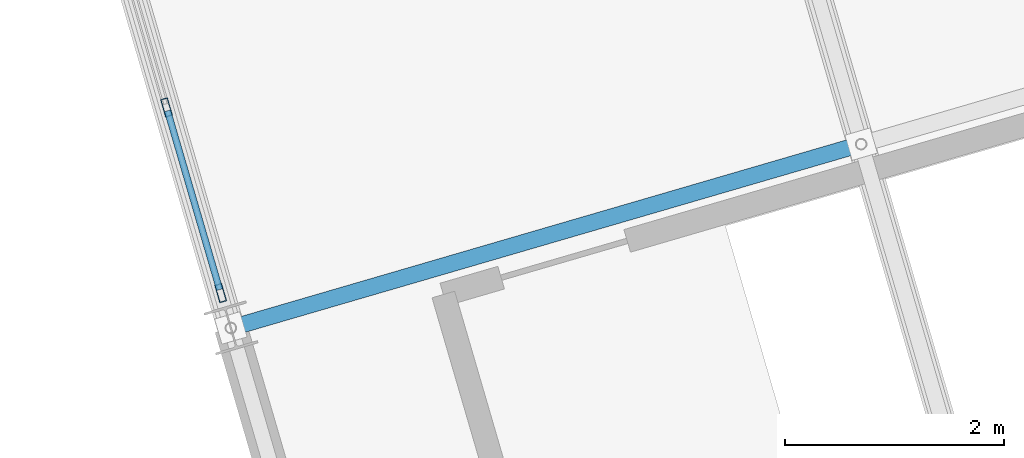
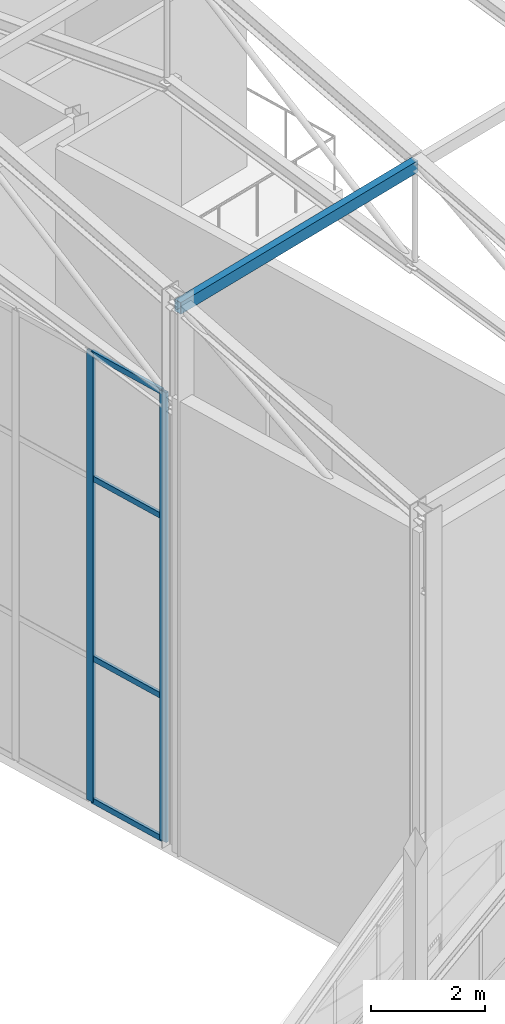
# One storey, part 135 of 248: 7 members, 1 element without a shape of its own.
"""IFC4 building model written with IfcOpenShell, lengths in metres."""

from ifc_helpers import new_model, si_unit, direction, frame, origin, origin_2d, place, context, subcontext, project, spatial, hollow_rectangle, extrude, material, layer, layer_set, material_profile, profile_set, type_object, element, aggregate, save


model = new_model("IFC4")

# Units and contexts
model_context = context("Model", 3, precision=1e-05, world=origin(), true_north=direction((0.0, 1.0)))
body_context = subcontext(model_context, "Body", "Model", "MODEL_VIEW")
ifc_project = project(units=[si_unit("LENGTHUNIT", "METRE"), si_unit("AREAUNIT", "SQUARE_METRE"), si_unit("VOLUMEUNIT", "CUBIC_METRE"), si_unit("PLANEANGLEUNIT", "RADIAN"), si_unit("MASSUNIT", "GRAM", prefix="KILO")], contexts=[model_context])

# Site, building, storey
site_placement = place(None, origin())
site = spatial("IfcSite", under=ifc_project, at=site_placement, CompositionType="ELEMENT")
building_placement = place(site_placement, origin())
building = spatial("IfcBuilding", under=site, at=building_placement, Name="Canggui Botanical Conservatory", CompositionType="ELEMENT")
storey_placement = place(building_placement, frame((0.0, 0.0, 5.39990234375)))
storey = spatial("IfcBuildingStorey", under=building, at=storey_placement, Name="L02", CompositionType="ELEMENT", Elevation=5.39990234375)

# Curtain wall, members
ifc_material_1 = material(Name="Thermally Broken Aluminium", Category="aluminium")
ifc_layer = layer(ifc_material_1, 0.1650390625, Name="Thermally Broken Aluminium", Category="aluminium")
ifc_layer_set = layer_set([ifc_layer], Name="Thermally Broken Aluminium")
curtain_wall_type = type_object("IfcCurtainWallType", Name="CW-UNIT-B", PredefinedType="USERDEFINED", material=ifc_layer_set)
curtain_wall_placement = place(storey_placement, origin())
curtain_wall = element("IfcCurtainWall", 1, at=curtain_wall_placement, inside=storey, type_object=curtain_wall_type, Name="Facade Curtain Wall CW-AUD-FOYER-L02-1", ObjectType="UNITISED CURTAIN WALL", PredefinedType="USERDEFINED")
ifc_material_profile_1 = material_profile(ifc_material_1, hollow_rectangle(XDim=0.06494140625, YDim=0.1650390625, WallThickness=0.00390625, at=origin_2d()), Name="CWM 65x165x4")
ifc_profile_set_1 = profile_set([ifc_material_profile_1], Name="Thermally Broken Aluminium")
member_type_1 = type_object("IfcMemberType", Name="CWM-02", PredefinedType="MULLION", material=ifc_profile_set_1)
member_1_placement = place(storey_placement, frame((64.226806640625, 96.0791015625, 0.0), z_axis=(0.0, 0.0, 1.0), x_axis=(-0.960000000002, -0.279999999995, 0.0)))
member_1 = element("IfcMember", 2, at=member_1_placement, type_object=member_type_1, Name="CW-02 mullion 1", PredefinedType="MULLION", context=body_context, shape_type="SweptSolid", body=[
    extrude(hollow_rectangle(XDim=0.06494140625, YDim=0.1650390625, WallThickness=0.00390625, at=origin_2d()), origin(), (0.0, 0.0, 1.0), 9.60009765625),
])
member_2_placement = place(storey_placement, frame((63.73193359375, 97.77587890625, 0.0), z_axis=(0.0, 0.0, 1.0), x_axis=(-0.960000000002, -0.279999999995, 0.0)))
member_2 = element("IfcMember", 3, at=member_2_placement, type_object=member_type_1, Name="CW-02 mullion 2", PredefinedType="MULLION", context=body_context, shape_type="SweptSolid", body=[
    extrude(hollow_rectangle(XDim=0.06494140625, YDim=0.1650390625, WallThickness=0.00390625, at=origin_2d()), origin(), (0.0, 0.0, 1.0), 9.60009765625),
])
ifc_material_profile_2 = material_profile(ifc_material_1, hollow_rectangle(XDim=0.06005859375, YDim=0.1201171875, WallThickness=0.00341796875, at=origin_2d()), Name="CWT 60x120x3.5")
ifc_profile_set_2 = profile_set([ifc_material_profile_2], Name="Thermally Broken Aluminium")
member_type_2 = type_object("IfcMemberType", Name="CWT-02", PredefinedType="USERDEFINED", material=ifc_profile_set_2)
member_3_placement = place(storey_placement, frame((64.2177734375, 96.1103515625, 0.030029296875), z_axis=(-0.27990639063, 0.960027297781, 0.0), x_axis=(-0.960027297781, -0.27990639063, 0.0)))
member_3 = element("IfcMember", 4, at=member_3_placement, type_object=member_type_2, Name="CW-02 transom 1.1", ObjectType="TRANSOM", PredefinedType="USERDEFINED", context=body_context, shape_type="SweptSolid", body=[
    extrude(hollow_rectangle(XDim=0.06005859375, YDim=0.1201171875, WallThickness=0.00341796875, at=origin_2d()), origin(), (0.0, 0.0, 1.0), 1.70263671875),
])
member_4_placement = place(storey_placement, frame((64.2177734375, 96.1103515625, 3.072021484375), z_axis=(-0.27990639063, 0.960027297781, 0.0), x_axis=(-0.960027297781, -0.27990639063, 0.0)))
member_4 = element("IfcMember", 5, at=member_4_placement, type_object=member_type_2, Name="CW-02 transom 1.2", ObjectType="TRANSOM", PredefinedType="USERDEFINED", context=body_context, shape_type="SweptSolid", body=[
    extrude(hollow_rectangle(XDim=0.06005859375, YDim=0.1201171875, WallThickness=0.00341796875, at=origin_2d()), origin(), (0.0, 0.0, 1.0), 1.70263671875),
])
member_5_placement = place(storey_placement, frame((64.2177734375, 96.1103515625, 6.912109375), z_axis=(-0.27990639063, 0.960027297781, 0.0), x_axis=(-0.960027297781, -0.27990639063, 0.0)))
member_5 = element("IfcMember", 6, at=member_5_placement, type_object=member_type_2, Name="CW-02 transom 1.3", ObjectType="TRANSOM", PredefinedType="USERDEFINED", context=body_context, shape_type="SweptSolid", body=[
    extrude(hollow_rectangle(XDim=0.06005859375, YDim=0.1201171875, WallThickness=0.00341796875, at=origin_2d()), origin(), (0.0, 0.0, 1.0), 1.70263671875),
])
member_6_placement = place(storey_placement, frame((64.2177734375, 96.1103515625, 9.570068359375), z_axis=(-0.27990639063, 0.960027297781, 0.0), x_axis=(-0.960027297781, -0.27990639063, 0.0)))
member_6 = element("IfcMember", 7, at=member_6_placement, type_object=member_type_2, Name="CW-02 transom 1.4", ObjectType="TRANSOM", PredefinedType="USERDEFINED", context=body_context, shape_type="SweptSolid", body=[
    extrude(hollow_rectangle(XDim=0.06005859375, YDim=0.1201171875, WallThickness=0.00341796875, at=origin_2d()), origin(), (0.0, 0.0, 1.0), 1.70263671875),
])
aggregate(curtain_wall, [member_1, member_2, member_3, member_4, member_5, member_6])

# Member
ifc_material_2 = material(Name="Steel Q355B", Category="steel")
ifc_material_profile_3 = material_profile(ifc_material_2, hollow_rectangle(XDim=0.14990234375, YDim=0.25, WallThickness=0.008056640625, at=origin_2d()), Name="RHS 150x250x8")
ifc_profile_set_3 = profile_set([ifc_material_profile_3], Name="Steel Q355B")
member_type_3 = type_object("IfcMemberType", Name="MEM-PUR01", PredefinedType="PURLIN", material=ifc_profile_set_3)
member_7_placement = place(storey_placement, frame((64.320068359375, 95.760009765625, 11.550048828125), z_axis=(0.960003190047, 0.279989062464, 0.0), x_axis=(-0.279989062464, 0.960003190047, 0.0)))
element("IfcMember", 8, at=member_7_placement, inside=storey, type_object=member_type_3, Name="Auditorium Roof Purlin 1-1", PredefinedType="PURLIN", context=body_context, shape_type="SweptSolid", body=[
    extrude(hollow_rectangle(XDim=0.14990234375, YDim=0.25, WallThickness=0.008056640625, at=origin_2d()), origin(), (0.0, 0.0, 1.0), 6.0),
])

save(model, "model.ifc")
